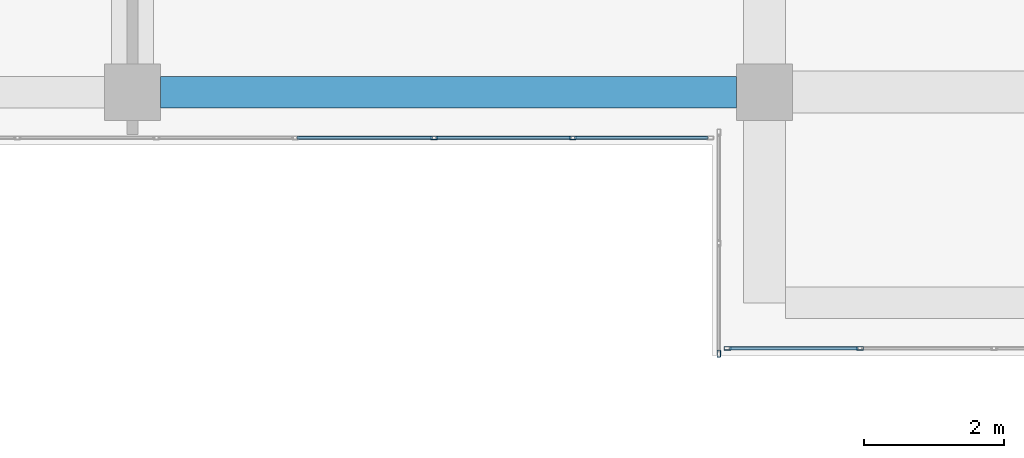
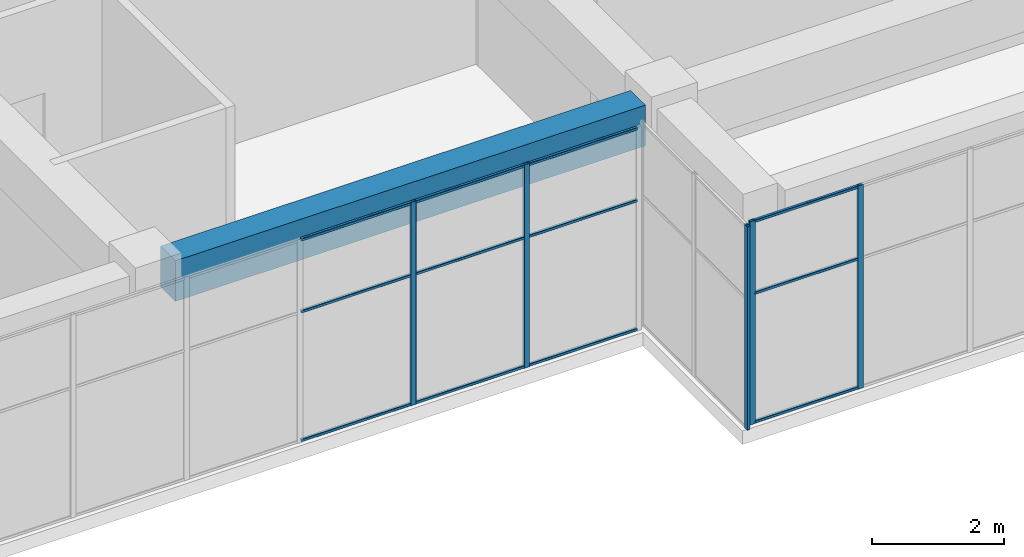
# One storey, part 23 of 55: 17 members, 1 beam, 3 elements without a shape of their own.
"""IFC4 building model written with IfcOpenShell, lengths in metres."""

from ifc_helpers import new_model, si_unit, direction, frame, origin, origin_2d, place, context, subcontext, project, spatial, rectangle, hollow_rectangle, extrude, material, layer, layer_set, material_profile, profile_set, type_object, element, aggregate, save


model = new_model("IFC4")

# Units and contexts
model_context = context("Model", 3, precision=1e-05, world=origin(), true_north=direction((0.0, 1.0)))
body_context = subcontext(model_context, "Body", "Model", "MODEL_VIEW")
ifc_project = project(units=[si_unit("LENGTHUNIT", "METRE"), si_unit("AREAUNIT", "SQUARE_METRE"), si_unit("VOLUMEUNIT", "CUBIC_METRE"), si_unit("PLANEANGLEUNIT", "RADIAN"), si_unit("MASSUNIT", "GRAM", prefix="KILO")], contexts=[model_context])

# Site, building, storey
site_placement = place(None, origin())
site = spatial("IfcSite", under=ifc_project, at=site_placement, CompositionType="ELEMENT")
building_placement = place(site_placement, origin())
building = spatial("IfcBuilding", under=site, at=building_placement, Name="Tuart Plaza Theatre", CompositionType="ELEMENT")
storey_placement = place(building_placement, frame((0.0, 0.0, 21.5)))
storey = spatial("IfcBuildingStorey", under=building, at=storey_placement, Name="L05", CompositionType="ELEMENT", Elevation=21.5)

# Beam
ifc_material_1 = material(Name="Concrete N40 (40 MPa)", Category="concrete")
ifc_material_profile_1 = material_profile(ifc_material_1, rectangle(XDim=0.449951171875, YDim=0.75, at=origin_2d()), Name="BEAM 450x750 Concrete N40 (40 MPa)")
ifc_profile_set_1 = profile_set([ifc_material_profile_1], Name="Concrete N40 (40 MPa)")
beam_type = type_object("IfcBeamType", Name="BEAM 450x750 Concrete N40 (40 MPa)", PredefinedType="BEAM", material=ifc_profile_set_1)
beam_placement = place(storey_placement, frame((123.39990234375, 56.0, 3.375), z_axis=(1.0, 0.0, 0.0), x_axis=(0.0, 1.0, 0.0)))
element("IfcBeam", 1, at=beam_placement, inside=storey, type_object=beam_type, Name="RB217", PredefinedType="BEAM", context=body_context, shape_type="SweptSolid", body=[
    extrude(rectangle(XDim=0.449951171875, YDim=0.75, at=origin_2d()), origin(), (0.0, 0.0, 1.0), 8.2001953125),
])

# Curtain wall, member
ifc_material_2 = material(Name="Aluminium and glass", Category="aluminium")
ifc_layer = layer(ifc_material_2, 0.10009765625)
ifc_layer_set = layer_set([ifc_layer], Name="CURTAIN WALL 2000 module")
curtain_wall_type = type_object("IfcCurtainWallType", Name="CURTAIN WALL 2000 module", PredefinedType="NOTDEFINED", material=ifc_layer_set)
curtain_wall_1_placement = place(storey_placement, origin())
curtain_wall_1 = element("IfcCurtainWall", 2, at=curtain_wall_1_placement, inside=storey, type_object=curtain_wall_type, Name="CW75", PredefinedType="NOTDEFINED")
ifc_material_3 = material(Name="Aluminium 6063-T5", Category="aluminium")
ifc_material_profile_2 = material_profile(ifc_material_3, hollow_rectangle(XDim=0.050048828125, YDim=0.10009765625, WallThickness=0.00390625, InnerFilletRadius=0.00390625, OuterFilletRadius=0.008056640625, at=origin_2d()), Name="RHS 100x50x4")
ifc_profile_set_2 = profile_set([ifc_material_profile_2], Name="Aluminium 6063-T5")
member_type_1 = type_object("IfcMemberType", Name="MULLION RHS 100x50x4", PredefinedType="MULLION", material=ifc_profile_set_2)
member_1_placement = place(storey_placement, frame((131.35009765625, 52.27490234375, 0.0), z_axis=(0.0, 0.0, 1.0), x_axis=(1.0, 0.0, 0.0)))
member_1 = element("IfcMember", 3, at=member_1_placement, type_object=member_type_1, Name="CW75 mullion 3", PredefinedType="MULLION", context=body_context, shape_type="SweptSolid", body=[
    extrude(hollow_rectangle(XDim=0.050048828125, YDim=0.10009765625, WallThickness=0.00390625, InnerFilletRadius=0.00390625, OuterFilletRadius=0.008056640625, at=origin_2d()), origin(), (0.0, 0.0, 1.0), 3.75),
])
aggregate(curtain_wall_1, [member_1])

# Curtain wall, members
curtain_wall_2_placement = place(storey_placement, origin())
curtain_wall_2 = element("IfcCurtainWall", 4, at=curtain_wall_2_placement, inside=storey, type_object=curtain_wall_type, Name="CW76", PredefinedType="NOTDEFINED")
member_2_placement = place(storey_placement, frame((131.47509765625, 52.35009765625, 0.0), z_axis=(0.0, 0.0, 1.0), x_axis=(0.0, 1.0, 0.0)))
member_2 = element("IfcMember", 5, at=member_2_placement, type_object=member_type_1, Name="CW76 mullion 1", PredefinedType="MULLION", context=body_context, shape_type="SweptSolid", body=[
    extrude(hollow_rectangle(XDim=0.050048828125, YDim=0.10009765625, WallThickness=0.00390625, InnerFilletRadius=0.00390625, OuterFilletRadius=0.008056640625, at=origin_2d()), origin(), (0.0, 0.0, 1.0), 3.75),
])
member_3_placement = place(storey_placement, frame((133.360107421875, 52.35009765625, 0.0), z_axis=(0.0, 0.0, 1.0), x_axis=(0.0, 1.0, 0.0)))
member_3 = element("IfcMember", 6, at=member_3_placement, type_object=member_type_1, Name="CW76 mullion 2", PredefinedType="MULLION", context=body_context, shape_type="SweptSolid", body=[
    extrude(hollow_rectangle(XDim=0.050048828125, YDim=0.10009765625, WallThickness=0.00390625, InnerFilletRadius=0.00390625, OuterFilletRadius=0.008056640625, at=origin_2d()), origin(), (0.0, 0.0, 1.0), 3.75),
])

curtain_wall_3_placement = place(storey_placement, origin())
curtain_wall_3 = element("IfcCurtainWall", 7, at=curtain_wall_3_placement, inside=storey, type_object=curtain_wall_type, Name="CW87", PredefinedType="NOTDEFINED")
member_4_placement = place(storey_placement, frame((127.29443359375, 55.35009765625, 0.0), z_axis=(0.0, 0.0, 1.0), x_axis=(0.0, 1.0, 0.0)))
member_4 = element("IfcMember", 8, at=member_4_placement, type_object=member_type_1, Name="CW87 mullion 8", PredefinedType="MULLION", context=body_context, shape_type="SweptSolid", body=[
    extrude(hollow_rectangle(XDim=0.050048828125, YDim=0.10009765625, WallThickness=0.00390625, InnerFilletRadius=0.00390625, OuterFilletRadius=0.008056640625, at=origin_2d()), origin(), (0.0, 0.0, 1.0), 3.75),
])
member_5_placement = place(storey_placement, frame((129.272216796875, 55.35009765625, 0.0), z_axis=(0.0, 0.0, 1.0), x_axis=(0.0, 1.0, 0.0)))
member_5 = element("IfcMember", 9, at=member_5_placement, type_object=member_type_1, Name="CW87 mullion 9", PredefinedType="MULLION", context=body_context, shape_type="SweptSolid", body=[
    extrude(hollow_rectangle(XDim=0.050048828125, YDim=0.10009765625, WallThickness=0.00390625, InnerFilletRadius=0.00390625, OuterFilletRadius=0.008056640625, at=origin_2d()), origin(), (0.0, 0.0, 1.0), 3.75),
])

# Member
ifc_material_4 = material(Name="Aluminium 6063-T5", Category="aluminium")
ifc_material_profile_3 = material_profile(ifc_material_4, hollow_rectangle(XDim=0.050048828125, YDim=0.050048828125, WallThickness=0.00390625, InnerFilletRadius=0.00390625, OuterFilletRadius=0.008056640625, at=origin_2d()), Name="RHS 50x50x4")
ifc_profile_set_3 = profile_set([ifc_material_profile_3], Name="Aluminium 6063-T5")
member_type_2 = type_object("IfcMemberType", Name="TRANSOM RHS 50x50x4", PredefinedType="USERDEFINED", material=ifc_profile_set_3)
member_6_placement = place(storey_placement, frame((131.5, 52.35009765625, 0.02490234375), z_axis=(1.0, 0.0, 0.0), x_axis=(0.0, 1.0, 0.0)))
member_6 = element("IfcMember", 10, at=member_6_placement, type_object=member_type_2, Name="CW76 transom 1.1", ObjectType="TRANSOM", PredefinedType="USERDEFINED", context=body_context, shape_type="SweptSolid", body=[
    extrude(hollow_rectangle(XDim=0.050048828125, YDim=0.050048828125, WallThickness=0.00390625, InnerFilletRadius=0.00390625, OuterFilletRadius=0.008056640625, at=origin_2d()), origin(), (0.0, 0.0, 1.0), 1.8349609375),
])

member_7_placement = place(storey_placement, frame((131.5, 52.35009765625, 2.39990234375), z_axis=(1.0, 0.0, 0.0), x_axis=(0.0, 1.0, 0.0)))
member_7 = element("IfcMember", 11, at=member_7_placement, type_object=member_type_2, Name="CW76 transom 1.2", ObjectType="TRANSOM", PredefinedType="USERDEFINED", context=body_context, shape_type="SweptSolid", body=[
    extrude(hollow_rectangle(XDim=0.050048828125, YDim=0.050048828125, WallThickness=0.00390625, InnerFilletRadius=0.00390625, OuterFilletRadius=0.008056640625, at=origin_2d()), origin(), (0.0, 0.0, 1.0), 1.8349609375),
])

member_8_placement = place(storey_placement, frame((131.5, 52.35009765625, 3.72509765625), z_axis=(1.0, 0.0, 0.0), x_axis=(0.0, 1.0, 0.0)))
member_8 = element("IfcMember", 12, at=member_8_placement, type_object=member_type_2, Name="CW76 transom 1.3", ObjectType="TRANSOM", PredefinedType="USERDEFINED", context=body_context, shape_type="SweptSolid", body=[
    extrude(hollow_rectangle(XDim=0.050048828125, YDim=0.050048828125, WallThickness=0.00390625, InnerFilletRadius=0.00390625, OuterFilletRadius=0.008056640625, at=origin_2d()), origin(), (0.0, 0.0, 1.0), 1.8349609375),
])

aggregate(curtain_wall_2, [member_2, member_3, member_6, member_7, member_8])

member_9_placement = place(storey_placement, frame((125.341552734375, 55.35009765625, 0.02490234375), z_axis=(1.0, 0.0, 0.0), x_axis=(0.0, 1.0, 0.0)))
member_9 = element("IfcMember", 13, at=member_9_placement, type_object=member_type_2, Name="CW87 transom 7.1", ObjectType="TRANSOM", PredefinedType="USERDEFINED", context=body_context, shape_type="SweptSolid", body=[
    extrude(hollow_rectangle(XDim=0.050048828125, YDim=0.050048828125, WallThickness=0.00390625, InnerFilletRadius=0.00390625, OuterFilletRadius=0.008056640625, at=origin_2d()), origin(), (0.0, 0.0, 1.0), 1.927978515625),
])

member_10_placement = place(storey_placement, frame((125.341552734375, 55.35009765625, 2.39990234375), z_axis=(1.0, 0.0, 0.0), x_axis=(0.0, 1.0, 0.0)))
member_10 = element("IfcMember", 14, at=member_10_placement, type_object=member_type_2, Name="CW87 transom 7.2", ObjectType="TRANSOM", PredefinedType="USERDEFINED", context=body_context, shape_type="SweptSolid", body=[
    extrude(hollow_rectangle(XDim=0.050048828125, YDim=0.050048828125, WallThickness=0.00390625, InnerFilletRadius=0.00390625, OuterFilletRadius=0.008056640625, at=origin_2d()), origin(), (0.0, 0.0, 1.0), 1.927978515625),
])

member_11_placement = place(storey_placement, frame((125.341552734375, 55.35009765625, 3.72509765625), z_axis=(1.0, 0.0, 0.0), x_axis=(0.0, 1.0, 0.0)))
member_11 = element("IfcMember", 15, at=member_11_placement, type_object=member_type_2, Name="CW87 transom 7.3", ObjectType="TRANSOM", PredefinedType="USERDEFINED", context=body_context, shape_type="SweptSolid", body=[
    extrude(hollow_rectangle(XDim=0.050048828125, YDim=0.050048828125, WallThickness=0.00390625, InnerFilletRadius=0.00390625, OuterFilletRadius=0.008056640625, at=origin_2d()), origin(), (0.0, 0.0, 1.0), 1.927978515625),
])

member_12_placement = place(storey_placement, frame((127.3193359375, 55.35009765625, 0.02490234375), z_axis=(1.0, 0.0, 0.0), x_axis=(0.0, 1.0, 0.0)))
member_12 = element("IfcMember", 16, at=member_12_placement, type_object=member_type_2, Name="CW87 transom 8.1", ObjectType="TRANSOM", PredefinedType="USERDEFINED", context=body_context, shape_type="SweptSolid", body=[
    extrude(hollow_rectangle(XDim=0.050048828125, YDim=0.050048828125, WallThickness=0.00390625, InnerFilletRadius=0.00390625, OuterFilletRadius=0.008056640625, at=origin_2d()), origin(), (0.0, 0.0, 1.0), 1.927978515625),
])

member_13_placement = place(storey_placement, frame((127.3193359375, 55.35009765625, 2.39990234375), z_axis=(1.0, 0.0, 0.0), x_axis=(0.0, 1.0, 0.0)))
member_13 = element("IfcMember", 17, at=member_13_placement, type_object=member_type_2, Name="CW87 transom 8.2", ObjectType="TRANSOM", PredefinedType="USERDEFINED", context=body_context, shape_type="SweptSolid", body=[
    extrude(hollow_rectangle(XDim=0.050048828125, YDim=0.050048828125, WallThickness=0.00390625, InnerFilletRadius=0.00390625, OuterFilletRadius=0.008056640625, at=origin_2d()), origin(), (0.0, 0.0, 1.0), 1.927978515625),
])

member_14_placement = place(storey_placement, frame((127.3193359375, 55.35009765625, 3.72509765625), z_axis=(1.0, 0.0, 0.0), x_axis=(0.0, 1.0, 0.0)))
member_14 = element("IfcMember", 18, at=member_14_placement, type_object=member_type_2, Name="CW87 transom 8.3", ObjectType="TRANSOM", PredefinedType="USERDEFINED", context=body_context, shape_type="SweptSolid", body=[
    extrude(hollow_rectangle(XDim=0.050048828125, YDim=0.050048828125, WallThickness=0.00390625, InnerFilletRadius=0.00390625, OuterFilletRadius=0.008056640625, at=origin_2d()), origin(), (0.0, 0.0, 1.0), 1.927978515625),
])

member_15_placement = place(storey_placement, frame((129.297119140625, 55.35009765625, 0.02490234375), z_axis=(1.0, 0.0, 0.0), x_axis=(0.0, 1.0, 0.0)))
member_15 = element("IfcMember", 19, at=member_15_placement, type_object=member_type_2, Name="CW87 transom 9.1", ObjectType="TRANSOM", PredefinedType="USERDEFINED", context=body_context, shape_type="SweptSolid", body=[
    extrude(hollow_rectangle(XDim=0.050048828125, YDim=0.050048828125, WallThickness=0.00390625, InnerFilletRadius=0.00390625, OuterFilletRadius=0.008056640625, at=origin_2d()), origin(), (0.0, 0.0, 1.0), 1.90283203125),
])

member_16_placement = place(storey_placement, frame((129.297119140625, 55.35009765625, 2.39990234375), z_axis=(1.0, 0.0, 0.0), x_axis=(0.0, 1.0, 0.0)))
member_16 = element("IfcMember", 20, at=member_16_placement, type_object=member_type_2, Name="CW87 transom 9.2", ObjectType="TRANSOM", PredefinedType="USERDEFINED", context=body_context, shape_type="SweptSolid", body=[
    extrude(hollow_rectangle(XDim=0.050048828125, YDim=0.050048828125, WallThickness=0.00390625, InnerFilletRadius=0.00390625, OuterFilletRadius=0.008056640625, at=origin_2d()), origin(), (0.0, 0.0, 1.0), 1.90283203125),
])

member_17_placement = place(storey_placement, frame((129.297119140625, 55.35009765625, 3.72509765625), z_axis=(1.0, 0.0, 0.0), x_axis=(0.0, 1.0, 0.0)))
member_17 = element("IfcMember", 21, at=member_17_placement, type_object=member_type_2, Name="CW87 transom 9.3", ObjectType="TRANSOM", PredefinedType="USERDEFINED", context=body_context, shape_type="SweptSolid", body=[
    extrude(hollow_rectangle(XDim=0.050048828125, YDim=0.050048828125, WallThickness=0.00390625, InnerFilletRadius=0.00390625, OuterFilletRadius=0.008056640625, at=origin_2d()), origin(), (0.0, 0.0, 1.0), 1.90283203125),
])

aggregate(curtain_wall_3, [member_4, member_5, member_9, member_10, member_11, member_12, member_13, member_14, member_15, member_16, member_17])

save(model, "model.ifc")
